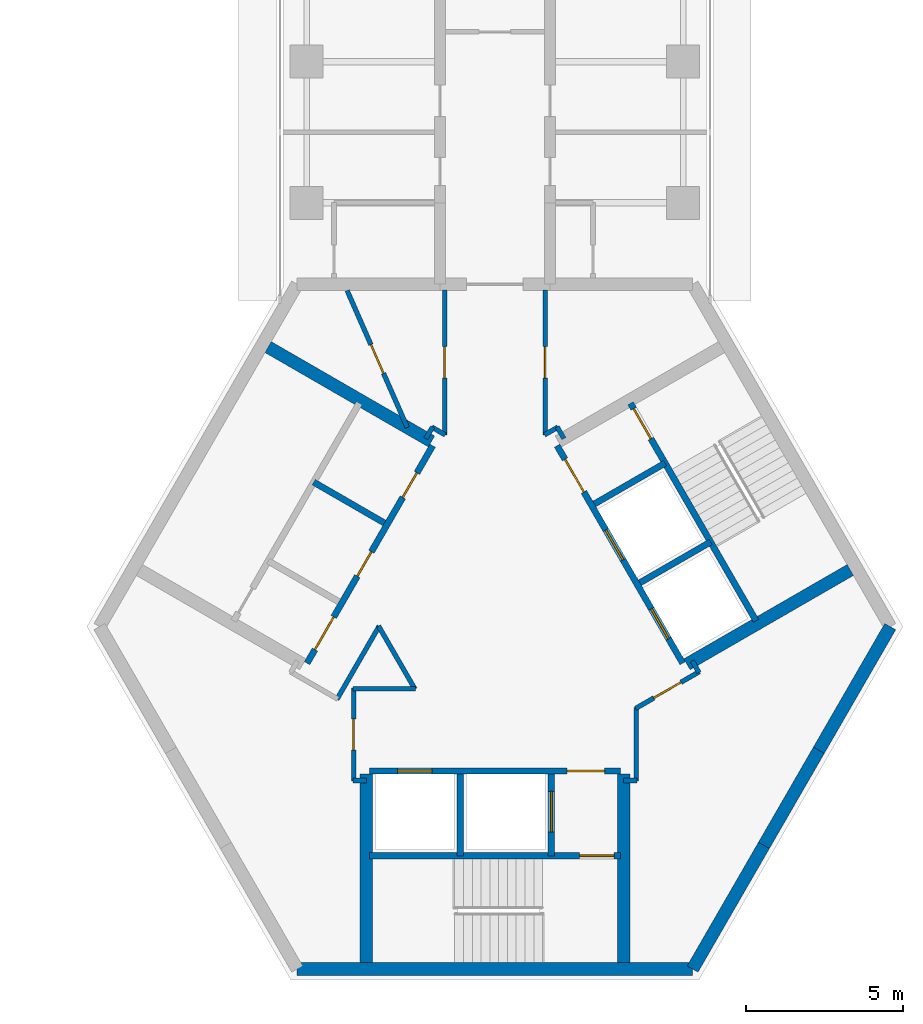
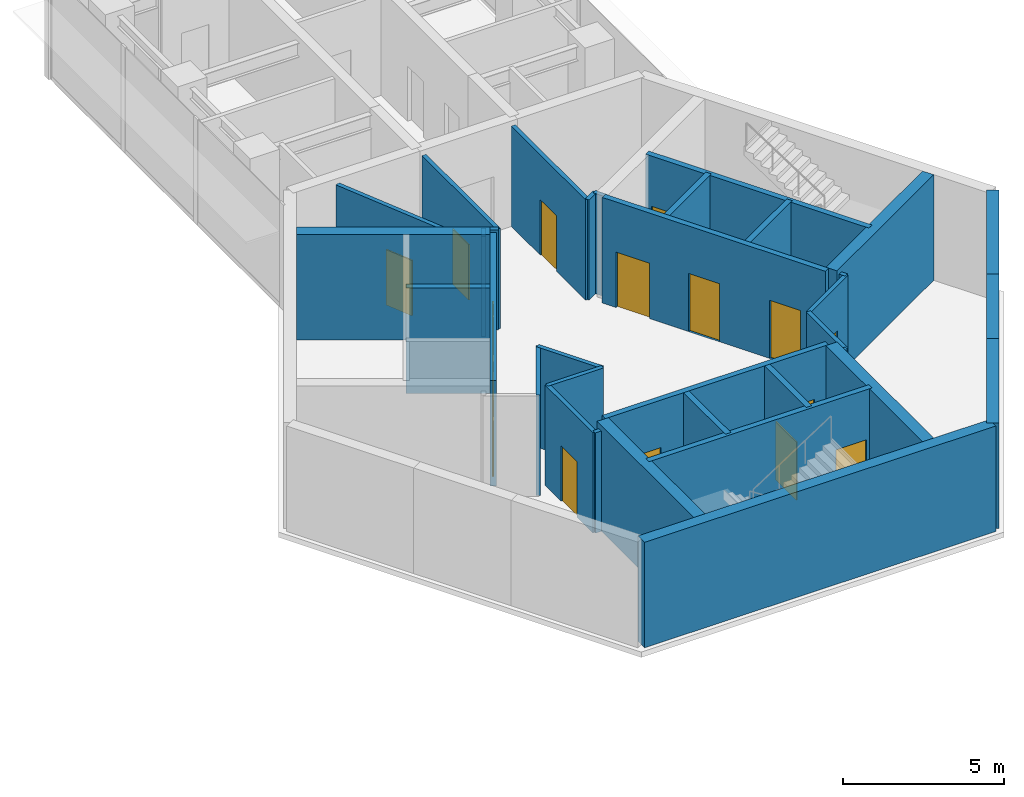
# One storey, part 8 of 11: 34 walls, 16 doors, 16 openings.
"""IFC4 building model written with IfcOpenShell, lengths in metres."""

from ifc_helpers import new_model, si_unit, direction, frame, frame_2d, origin, place, context, subcontext, project, spatial, rectangle, extrude, material, layer, layer_set, type_object, element, fill, save


model = new_model("IFC4")

# Units and contexts
model_context = context("Model", 3, precision=1e-05, world=origin(), true_north=direction((0.0, 1.0)))
body_context = subcontext(model_context, "Body", "Model", "MODEL_VIEW")
ifc_project = project(units=[si_unit("LENGTHUNIT", "METRE"), si_unit("AREAUNIT", "SQUARE_METRE"), si_unit("VOLUMEUNIT", "CUBIC_METRE"), si_unit("PLANEANGLEUNIT", "RADIAN"), si_unit("MASSUNIT", "GRAM", prefix="KILO")], contexts=[model_context])

# Site, building, storey
site_placement = place(None, origin())
site = spatial("IfcSite", under=ifc_project, at=site_placement, CompositionType="ELEMENT")
building_placement = place(site_placement, origin())
building = spatial("IfcBuilding", under=site, at=building_placement, Name="Upepo Twin Towers", CompositionType="ELEMENT")
storey_placement = place(building_placement, frame((0.0, 0.0, 255.5)))
storey = spatial("IfcBuildingStorey", under=building, at=storey_placement, Name="L62", CompositionType="ELEMENT", Elevation=255.5)

# Walls
ifc_material_1 = material(Name="Concrete C60/75", Category="concrete")
ifc_layer_1 = layer(ifc_material_1, 0.39990234375)
ifc_layer_set_1 = layer_set([ifc_layer_1], Name="Concrete C60/75")
wall_type_1 = type_object("IfcWallType", Name="Core wall 400 RC", PredefinedType="SHEAR", material=ifc_layer_set_1)
wall_1_placement = place(storey_placement, frame((52.2021484375, -28.908447265625, 0.0), z_axis=(0.0, 0.0, 1.0), x_axis=(1.0, 0.0, 0.0)))
element("IfcWall", 1, at=wall_1_placement, inside=storey, type_object=wall_type_1, Name="T2 core wall 180", PredefinedType="SHEAR", context=body_context, shape_type="SweptSolid", body=[
    extrude(rectangle(XDim=12.595703125, YDim=0.39990234375, at=frame_2d((6.2978515625, 0.0))), origin(), (0.0, 0.0, 1.0), 4.0),
])
wall_2_placement = place(storey_placement, frame((64.7978515625, -28.908447265625, 0.0), z_axis=(0.0, 0.0, 1.0), x_axis=(0.499984222037, 0.866034513004, 0.0)))
element("IfcWall", 2, at=wall_2_placement, inside=storey, type_object=wall_type_1, Name="T2 core wall 240 R", PredefinedType="SHEAR", context=body_context, shape_type="SweptSolid", body=[
    extrude(rectangle(XDim=4.548095703125, YDim=0.39990234375, at=frame_2d((2.27392578125, 0.0))), origin(), (0.0, 0.0, 1.0), 4.0),
])
wall_3_placement = place(storey_placement, frame((67.07177734375, -24.9697265625, 0.0), z_axis=(0.0, 0.0, 1.0), x_axis=(0.500010275428, 0.866019471182, 0.0)))
element("IfcWall", 3, at=wall_3_placement, inside=storey, type_object=wall_type_1, Name="T2 core wall 240", PredefinedType="SHEAR", context=body_context, shape_type="SweptSolid", body=[
    extrude(rectangle(XDim=3.5, YDim=0.39990234375, at=frame_2d((1.75, 0.0))), origin(), (0.0, 0.0, 1.0), 4.0),
])
wall_4_placement = place(storey_placement, frame((68.82177734375, -21.938720703125, 0.0), z_axis=(0.0, 0.0, 1.0), x_axis=(0.500024481964, 0.866011268655, 0.0)))
element("IfcWall", 4, at=wall_4_placement, inside=storey, type_object=wall_type_1, Name="T2 core wall 240 L", PredefinedType="SHEAR", context=body_context, shape_type="SweptSolid", body=[
    extrude(rectangle(XDim=4.548095703125, YDim=0.39990234375, at=frame_2d((2.27392578125, 0.0))), origin(), (0.0, 0.0, 1.0), 4.0),
])

# Wall, openings, doors
ifc_material_2 = material(Name="Concrete C40/50", Category="concrete")
ifc_layer_2 = layer(ifc_material_2, 0.199951171875)
ifc_layer_set_2 = layer_set([ifc_layer_2], Name="Concrete C40/50")
wall_type_2 = type_object("IfcWallType", Name="Shaft wall 200 RC", PredefinedType="SHEAR", material=ifc_layer_set_2)
wall_5_placement = place(storey_placement, frame((56.516357421875, -12.23583984375, 0.0), z_axis=(0.0, 0.0, 1.0), x_axis=(-0.49999894854, -0.866026010844, 0.0)))
wall_5 = element("IfcWall", 5, at=wall_5_placement, inside=storey, type_object=wall_type_2, Name="T2 core W60 front wall", PredefinedType="SHEAR", context=body_context, shape_type="SweptSolid", body=[
    extrude(rectangle(XDim=8.0, YDim=0.199951171875, at=frame_2d((4.0, 0.0))), origin(), (0.0, 0.0, 1.0), 4.0),
])
opening_1_placement = place(wall_5_placement, frame((6.300048828125, 0.0, 0.0)))
opening_1 = element("IfcOpeningElement", 6, at=opening_1_placement, cuts=wall_5, Name="Opening D4", PredefinedType="OPENING", context=body_context, shape_type="SweptSolid", body=[
    extrude(rectangle(XDim=1.199951171875, YDim=2.10009765625, at=frame_2d((0.60009765625, 1.050048828125))), frame((0.0, 0.10986328125, 0.0), z_axis=(0.0, -1.0, 0.0), x_axis=(1.0, 0.0, 0.0)), (0.0, 0.0, 1.0), 0.219970703125),
])
opening_2_placement = place(wall_5_placement, frame((1.0, 0.0, 0.0)))
opening_2 = element("IfcOpeningElement", 7, at=opening_2_placement, cuts=wall_5, Name="Opening D9", PredefinedType="OPENING", context=body_context, shape_type="SweptSolid", body=[
    extrude(rectangle(XDim=0.89990234375, YDim=2.10009765625, at=frame_2d((0.449951171875, 1.050048828125))), frame((0.0, 0.10986328125, 0.0), z_axis=(0.0, -1.0, 0.0), x_axis=(1.0, 0.0, 0.0)), (0.0, 0.0, 1.0), 0.219970703125),
])
opening_3_placement = place(wall_5_placement, frame((3.89990234375, 0.0, 0.0)))
opening_3 = element("IfcOpeningElement", 8, at=opening_3_placement, cuts=wall_5, Name="Opening D9", PredefinedType="OPENING", context=body_context, shape_type="SweptSolid", body=[
    extrude(rectangle(XDim=0.89990234375, YDim=2.10009765625, at=frame_2d((0.449951171875, 1.050048828125))), frame((0.0, 0.10986328125, 0.0), z_axis=(0.0, -1.0, 0.0), x_axis=(1.0, 0.0, 0.0)), (0.0, 0.0, 1.0), 0.219970703125),
])
ifc_material_3 = material(Name="Timber doorset", Category="wood")
door_type_1 = type_object("IfcDoorType", Name="Lobby door 1200 FD60", OperationType="SINGLE_SWING_LEFT", PredefinedType="DOOR", material=ifc_material_3)
door_1_placement = place(opening_1_placement, origin())
door_1 = element("IfcDoor", 9, at=door_1_placement, inside=storey, type_object=door_type_1, Name="T2 L62 W60 lobby door", OperationType="SINGLE_SWING_RIGHT", OverallHeight=2.10009765625, OverallWidth=1.199951171875, PredefinedType="DOOR", context=body_context, shape_type="SweptSolid", body=[
    extrude(rectangle(XDim=1.199951171875, YDim=2.10009765625, at=frame_2d((0.60009765625, 1.050048828125))), frame((0.0, 0.02490234375, 0.0), z_axis=(0.0, -1.0, 0.0), x_axis=(1.0, 0.0, 0.0)), (0.0, 0.0, 1.0), 0.050048828125),
])
fill(opening_1, door_1)
ifc_material_4 = material(Name="Timber doorset", Category="wood")
door_type_2 = type_object("IfcDoorType", Name="Riser door 900 FD60", OperationType="SINGLE_SWING_LEFT", PredefinedType="DOOR", material=ifc_material_4)
door_2_placement = place(opening_2_placement, origin())
door_2 = element("IfcDoor", 10, at=door_2_placement, inside=storey, type_object=door_type_2, Name="T2 L62 av equipment store door", OperationType="SINGLE_SWING_LEFT", OverallHeight=2.10009765625, OverallWidth=0.89990234375, PredefinedType="DOOR", context=body_context, shape_type="SweptSolid", body=[
    extrude(rectangle(XDim=0.89990234375, YDim=2.10009765625, at=frame_2d((0.449951171875, 1.050048828125))), frame((0.0, 0.02490234375, 0.0), z_axis=(0.0, -1.0, 0.0), x_axis=(1.0, 0.0, 0.0)), (0.0, 0.0, 1.0), 0.050048828125),
])
fill(opening_2, door_2)
door_3_placement = place(opening_3_placement, origin())
door_3 = element("IfcDoor", 11, at=door_3_placement, inside=storey, type_object=door_type_2, Name="T2 L62 pantry store door", OperationType="SINGLE_SWING_RIGHT", OverallHeight=2.10009765625, OverallWidth=0.89990234375, PredefinedType="DOOR", context=body_context, shape_type="SweptSolid", body=[
    extrude(rectangle(XDim=0.89990234375, YDim=2.10009765625, at=frame_2d((0.449951171875, 1.050048828125))), frame((0.0, 0.02490234375, 0.0), z_axis=(0.0, -1.0, 0.0), x_axis=(1.0, 0.0, 0.0)), (0.0, 0.0, 1.0), 0.050048828125),
])
fill(opening_3, door_3)

# Wall
wall_6_placement = place(storey_placement, frame((54.979736328125, -14.697265625, 0.0), z_axis=(0.0, 0.0, 1.0), x_axis=(-0.866062058628, 0.499936506574, 0.0)))
element("IfcWall", 12, at=wall_6_placement, inside=storey, type_object=wall_type_2, Name="T2 core W60 shaft divider", PredefinedType="SHEAR", context=body_context, shape_type="SweptSolid", body=[
    extrude(rectangle(XDim=2.599853515625, YDim=0.199951171875, at=frame_2d((1.2998046875, 0.0))), origin(), (0.0, 0.0, 1.0), 4.0),
])

# Wall, openings, doors
wall_7_placement = place(storey_placement, frame((54.5, -22.60009765625, 0.0), z_axis=(0.0, 0.0, 1.0), x_axis=(1.0, 0.0, 0.0)))
wall_7 = element("IfcWall", 13, at=wall_7_placement, inside=storey, type_object=wall_type_2, Name="T2 core W180 front wall", PredefinedType="SHEAR", context=body_context, shape_type="SweptSolid", body=[
    extrude(rectangle(XDim=8.0, YDim=0.199951171875, at=frame_2d((4.0, 0.0))), origin(), (0.0, 0.0, 1.0), 4.0),
])
opening_4_placement = place(wall_7_placement, frame((6.300048828125, 0.0, 0.0)))
opening_4 = element("IfcOpeningElement", 14, at=opening_4_placement, cuts=wall_7, Name="Opening D4", PredefinedType="OPENING", context=body_context, shape_type="SweptSolid", body=[
    extrude(rectangle(XDim=1.199951171875, YDim=2.10009765625, at=frame_2d((0.60009765625, 1.050048828125))), frame((0.0, 0.10986328125, 0.0), z_axis=(0.0, -1.0, 0.0), x_axis=(1.0, 0.0, 0.0)), (0.0, 0.0, 1.0), 0.219970703125),
])
opening_5_placement = place(wall_7_placement, frame((0.89990234375, 0.0, 0.0)))
opening_5 = element("IfcOpeningElement", 15, at=opening_5_placement, cuts=wall_7, Name="Opening LD1", PredefinedType="OPENING", context=body_context, shape_type="SweptSolid", body=[
    extrude(rectangle(XDim=1.10009765625, YDim=2.199951171875, at=frame_2d((0.550048828125, 1.10009765625))), frame((0.0, 0.10986328125, 0.0), z_axis=(0.0, -1.0, 0.0), x_axis=(1.0, 0.0, 0.0)), (0.0, 0.0, 1.0), 0.219970703125),
])
ifc_material_5 = material(Name="Steel doorset", Category="steel")
door_type_3 = type_object("IfcDoorType", Name="Lift landing door 1100", OperationType="DOUBLE_DOOR_SLIDING", PredefinedType="DOOR", material=ifc_material_5)
door_4_placement = place(opening_5_placement, origin())
door_4 = element("IfcDoor", 16, at=door_4_placement, inside=storey, type_object=door_type_3, Name="T2 L62 lift SV1 landing door", OperationType="DOUBLE_DOOR_SLIDING", OverallHeight=2.199951171875, OverallWidth=1.10009765625, PredefinedType="DOOR", context=body_context, shape_type="SweptSolid", body=[
    extrude(rectangle(XDim=1.10009765625, YDim=2.199951171875, at=frame_2d((0.550048828125, 1.10009765625))), frame((0.0, 0.02490234375, 0.0), z_axis=(0.0, -1.0, 0.0), x_axis=(1.0, 0.0, 0.0)), (0.0, 0.0, 1.0), 0.050048828125),
])
fill(opening_5, door_4)
door_5_placement = place(opening_4_placement, origin())
door_5 = element("IfcDoor", 17, at=door_5_placement, inside=storey, type_object=door_type_1, Name="T2 L62 W180 lobby door", OperationType="SINGLE_SWING_RIGHT", OverallHeight=2.10009765625, OverallWidth=1.199951171875, PredefinedType="DOOR", context=body_context, shape_type="SweptSolid", body=[
    extrude(rectangle(XDim=1.199951171875, YDim=2.10009765625, at=frame_2d((0.60009765625, 1.050048828125))), frame((0.0, 0.02490234375, 0.0), z_axis=(0.0, -1.0, 0.0), x_axis=(1.0, 0.0, 0.0)), (0.0, 0.0, 1.0), 0.050048828125),
])
fill(opening_4, door_5)

# Wall
wall_8_placement = place(storey_placement, frame((57.39990234375, -22.699951171875, 0.0), z_axis=(0.0, 0.0, 1.0), x_axis=(0.0, -1.0, 0.0)))
element("IfcWall", 18, at=wall_8_placement, inside=storey, type_object=wall_type_2, Name="T2 core W180 shaft divider", PredefinedType="SHEAR", context=body_context, shape_type="SweptSolid", body=[
    extrude(rectangle(XDim=2.60009765625, YDim=0.199951171875, at=frame_2d((1.300048828125, 0.0))), origin(), (0.0, 0.0, 1.0), 4.0),
])

# Wall, opening, door
wall_9_placement = place(storey_placement, frame((60.300048828125, -22.699951171875, 0.0), z_axis=(0.0, 0.0, 1.0), x_axis=(0.0, -1.0, 0.0)))
wall_9 = element("IfcWall", 19, at=wall_9_placement, inside=storey, type_object=wall_type_2, Name="T2 core W180 lobby wall", PredefinedType="SHEAR", context=body_context, shape_type="SweptSolid", body=[
    extrude(rectangle(XDim=2.60009765625, YDim=0.199951171875, at=frame_2d((1.300048828125, 0.0))), origin(), (0.0, 0.0, 1.0), 4.0),
])
opening_6_placement = place(wall_9_placement, frame((0.550048828125, 0.0, 0.0)))
opening_6 = element("IfcOpeningElement", 20, at=opening_6_placement, cuts=wall_9, Name="Opening LD2", PredefinedType="OPENING", context=body_context, shape_type="SweptSolid", body=[
    extrude(rectangle(XDim=1.300048828125, YDim=2.199951171875, at=frame_2d((0.64990234375, 1.10009765625))), frame((0.0, 0.10986328125, 0.0), z_axis=(0.0, -1.0, 0.0), x_axis=(1.0, 0.0, 0.0)), (0.0, 0.0, 1.0), 0.219970703125),
])
ifc_material_6 = material(Name="Steel doorset", Category="steel")
door_type_4 = type_object("IfcDoorType", Name="Firefighting lift landing door 1300", OperationType="DOUBLE_DOOR_SLIDING", PredefinedType="DOOR", material=ifc_material_6)
door_6_placement = place(opening_6_placement, origin())
door_6 = element("IfcDoor", 21, at=door_6_placement, inside=storey, type_object=door_type_4, Name="T2 L62 firefighting lift landing door", OperationType="DOUBLE_DOOR_SLIDING", OverallHeight=2.199951171875, OverallWidth=1.300048828125, PredefinedType="DOOR", context=body_context, shape_type="SweptSolid", body=[
    extrude(rectangle(XDim=1.300048828125, YDim=2.199951171875, at=frame_2d((0.64990234375, 1.10009765625))), frame((0.0, 0.02490234375, 0.0), z_axis=(0.0, -1.0, 0.0), x_axis=(1.0, 0.0, 0.0)), (0.0, 0.0, 1.0), 0.050048828125),
])
fill(opening_6, door_6)

wall_10_placement = place(storey_placement, frame((54.5, -25.300048828125, 0.0), z_axis=(0.0, 0.0, 1.0), x_axis=(1.0, 0.0, 0.0)))
wall_10 = element("IfcWall", 22, at=wall_10_placement, inside=storey, type_object=wall_type_2, Name="T2 core W180 stair wall", PredefinedType="SHEAR", context=body_context, shape_type="SweptSolid", body=[
    extrude(rectangle(XDim=8.0, YDim=0.199951171875, at=frame_2d((4.0, 0.0))), origin(), (0.0, 0.0, 1.0), 4.0),
])
opening_7_placement = place(wall_10_placement, frame((6.699951171875, 0.0, 0.0)))
opening_7 = element("IfcOpeningElement", 23, at=opening_7_placement, cuts=wall_10, Name="Opening D3", PredefinedType="OPENING", context=body_context, shape_type="SweptSolid", body=[
    extrude(rectangle(XDim=1.10009765625, YDim=2.10009765625, at=frame_2d((0.550048828125, 1.050048828125))), frame((0.0, 0.10986328125, 0.0), z_axis=(0.0, -1.0, 0.0), x_axis=(1.0, 0.0, 0.0)), (0.0, 0.0, 1.0), 0.219970703125),
])
ifc_material_7 = material(Name="Timber doorset", Category="wood")
door_type_5 = type_object("IfcDoorType", Name="Stair door 1100 FD60", OperationType="SINGLE_SWING_LEFT", PredefinedType="DOOR", material=ifc_material_7)
door_7_placement = place(opening_7_placement, origin())
door_7 = element("IfcDoor", 24, at=door_7_placement, inside=storey, type_object=door_type_5, Name="T2 L62 stair door", OperationType="SINGLE_SWING_RIGHT", OverallHeight=2.10009765625, OverallWidth=1.10009765625, PredefinedType="DOOR", context=body_context, shape_type="SweptSolid", body=[
    extrude(rectangle(XDim=1.10009765625, YDim=2.10009765625, at=frame_2d((0.550048828125, 1.050048828125))), frame((0.0, 0.02490234375, 0.0), z_axis=(0.0, -1.0, 0.0), x_axis=(1.0, 0.0, 0.0)), (0.0, 0.0, 1.0), 0.050048828125),
])
fill(opening_7, door_7)

# Wall, openings, doors
wall_11_placement = place(storey_placement, frame((64.483642578125, -19.1640625, 0.0), z_axis=(0.0, 0.0, 1.0), x_axis=(-0.49999894854, 0.866026010844, 0.0)))
wall_11 = element("IfcWall", 25, at=wall_11_placement, inside=storey, type_object=wall_type_2, Name="T2 core W300 front wall", PredefinedType="SHEAR", context=body_context, shape_type="SweptSolid", body=[
    extrude(rectangle(XDim=8.0, YDim=0.199951171875, at=frame_2d((4.0, 0.0))), origin(), (0.0, 0.0, 1.0), 4.0),
])
opening_8_placement = place(wall_11_placement, frame((6.300048828125, 0.0, 0.0)))
opening_8 = element("IfcOpeningElement", 26, at=opening_8_placement, cuts=wall_11, Name="Opening D4", PredefinedType="OPENING", context=body_context, shape_type="SweptSolid", body=[
    extrude(rectangle(XDim=1.199951171875, YDim=2.10009765625, at=frame_2d((0.60009765625, 1.050048828125))), frame((0.0, 0.10986328125, 0.0), z_axis=(0.0, -1.0, 0.0), x_axis=(1.0, 0.0, 0.0)), (0.0, 0.0, 1.0), 0.219970703125),
])
opening_9_placement = place(wall_11_placement, frame((0.89990234375, 0.0, 0.0)))
opening_9 = element("IfcOpeningElement", 27, at=opening_9_placement, cuts=wall_11, Name="Opening LD1", PredefinedType="OPENING", context=body_context, shape_type="SweptSolid", body=[
    extrude(rectangle(XDim=1.10009765625, YDim=2.199951171875, at=frame_2d((0.550048828125, 1.10009765625))), frame((0.0, 0.10986328125, 0.0), z_axis=(0.0, -1.0, 0.0), x_axis=(1.0, 0.0, 0.0)), (0.0, 0.0, 1.0), 0.219970703125),
])
opening_10_placement = place(wall_11_placement, frame((3.800048828125, 0.0, 0.0)))
opening_10 = element("IfcOpeningElement", 28, at=opening_10_placement, cuts=wall_11, Name="Opening LD1", PredefinedType="OPENING", context=body_context, shape_type="SweptSolid", body=[
    extrude(rectangle(XDim=1.10009765625, YDim=2.199951171875, at=frame_2d((0.550048828125, 1.10009765625))), frame((0.0, 0.10986328125, 0.0), z_axis=(0.0, -1.0, 0.0), x_axis=(1.0, 0.0, 0.0)), (0.0, 0.0, 1.0), 0.219970703125),
])
door_8_placement = place(opening_9_placement, origin())
door_8 = element("IfcDoor", 29, at=door_8_placement, inside=storey, type_object=door_type_3, Name="T2 L62 lift TL1 landing door", OperationType="DOUBLE_DOOR_SLIDING", OverallHeight=2.199951171875, OverallWidth=1.10009765625, PredefinedType="DOOR", context=body_context, shape_type="SweptSolid", body=[
    extrude(rectangle(XDim=1.10009765625, YDim=2.199951171875, at=frame_2d((0.550048828125, 1.10009765625))), frame((0.0, 0.02490234375, 0.0), z_axis=(0.0, -1.0, 0.0), x_axis=(1.0, 0.0, 0.0)), (0.0, 0.0, 1.0), 0.050048828125),
])
fill(opening_9, door_8)
door_9_placement = place(opening_10_placement, origin())
door_9 = element("IfcDoor", 30, at=door_9_placement, inside=storey, type_object=door_type_3, Name="T2 L62 lift TL2 landing door", OperationType="DOUBLE_DOOR_SLIDING", OverallHeight=2.199951171875, OverallWidth=1.10009765625, PredefinedType="DOOR", context=body_context, shape_type="SweptSolid", body=[
    extrude(rectangle(XDim=1.10009765625, YDim=2.199951171875, at=frame_2d((0.550048828125, 1.10009765625))), frame((0.0, 0.02490234375, 0.0), z_axis=(0.0, -1.0, 0.0), x_axis=(1.0, 0.0, 0.0)), (0.0, 0.0, 1.0), 0.050048828125),
])
fill(opening_10, door_9)
door_10_placement = place(opening_8_placement, origin())
door_10 = element("IfcDoor", 31, at=door_10_placement, inside=storey, type_object=door_type_1, Name="T2 L62 W300 lobby door", OperationType="SINGLE_SWING_RIGHT", OverallHeight=2.10009765625, OverallWidth=1.199951171875, PredefinedType="DOOR", context=body_context, shape_type="SweptSolid", body=[
    extrude(rectangle(XDim=1.199951171875, YDim=2.10009765625, at=frame_2d((0.60009765625, 1.050048828125))), frame((0.0, 0.02490234375, 0.0), z_axis=(0.0, -1.0, 0.0), x_axis=(1.0, 0.0, 0.0)), (0.0, 0.0, 1.0), 0.050048828125),
])
fill(opening_8, door_10)

# Walls
wall_12_placement = place(storey_placement, frame((63.120361328125, -16.6025390625, 0.0), z_axis=(0.0, 0.0, 1.0), x_axis=(0.866062058628, 0.499936506574, 0.0)))
element("IfcWall", 32, at=wall_12_placement, inside=storey, type_object=wall_type_2, Name="T2 core W300 shaft divider", PredefinedType="SHEAR", context=body_context, shape_type="SweptSolid", body=[
    extrude(rectangle(XDim=2.599853515625, YDim=0.199951171875, at=frame_2d((1.2998046875, 0.0))), origin(), (0.0, 0.0, 1.0), 4.0),
])
wall_13_placement = place(storey_placement, frame((61.67041015625, -14.091064453125, 0.0), z_axis=(0.0, 0.0, 1.0), x_axis=(0.86603858612, 0.49997716683, 0.0)))
element("IfcWall", 33, at=wall_13_placement, inside=storey, type_object=wall_type_2, Name="T2 core W300 lobby wall", PredefinedType="SHEAR", context=body_context, shape_type="SweptSolid", body=[
    extrude(rectangle(XDim=2.599609375, YDim=0.199951171875, at=frame_2d((1.2998046875, 0.0))), origin(), (0.0, 0.0, 1.0), 4.0),
])

# Wall, opening, door
wall_14_placement = place(storey_placement, frame((66.822021484375, -17.814208984375, 0.0), z_axis=(0.0, 0.0, 1.0), x_axis=(-0.49999894854, 0.866026010844, 0.0)))
wall_14 = element("IfcWall", 34, at=wall_14_placement, inside=storey, type_object=wall_type_2, Name="T2 core W300 stair wall", PredefinedType="SHEAR", context=body_context, shape_type="SweptSolid", body=[
    extrude(rectangle(XDim=8.0, YDim=0.199951171875, at=frame_2d((4.0, 0.0))), origin(), (0.0, 0.0, 1.0), 4.0),
])
opening_11_placement = place(wall_14_placement, frame((6.699951171875, 0.0, 0.0)))
opening_11 = element("IfcOpeningElement", 35, at=opening_11_placement, cuts=wall_14, Name="Opening D3", PredefinedType="OPENING", context=body_context, shape_type="SweptSolid", body=[
    extrude(rectangle(XDim=1.10009765625, YDim=2.10009765625, at=frame_2d((0.550048828125, 1.050048828125))), frame((0.0, 0.10986328125, 0.0), z_axis=(0.0, -1.0, 0.0), x_axis=(1.0, 0.0, 0.0)), (0.0, 0.0, 1.0), 0.219970703125),
])
door_11_placement = place(opening_11_placement, origin())
door_11 = element("IfcDoor", 36, at=door_11_placement, inside=storey, type_object=door_type_5, Name="T2 L62 stair door", OperationType="SINGLE_SWING_RIGHT", OverallHeight=2.10009765625, OverallWidth=1.10009765625, PredefinedType="DOOR", context=body_context, shape_type="SweptSolid", body=[
    extrude(rectangle(XDim=1.10009765625, YDim=2.10009765625, at=frame_2d((0.550048828125, 1.050048828125))), frame((0.0, 0.02490234375, 0.0), z_axis=(0.0, -1.0, 0.0), x_axis=(1.0, 0.0, 0.0)), (0.0, 0.0, 1.0), 0.050048828125),
])
fill(opening_11, door_11)

# Walls
ifc_material_8 = material(Name="Concrete C40/50", Category="concrete")
ifc_layer_3 = layer(ifc_material_8, 0.39990234375)
ifc_layer_set_3 = layer_set([ifc_layer_3], Name="Concrete C40/50")
wall_type_3 = type_object("IfcWallType", Name="Shaft wall 400 RC", PredefinedType="SHEAR", material=ifc_layer_set_3)
for number, where, z_axis, x_axis, name in (
    (37, (56.479736328125, -12.099365234375, 0.0), (0.0, 0.0, 1.0), (-0.866026570101, 0.499997979876, 0.0), "T2 core W60 side wall S"),
    (38, (62.60009765625, -22.699951171875, 0.0), (0.0, 0.0, 1.0), (0.0, -1.0, 0.0), "T2 core W180 side wall N"),
    (39, (54.39990234375, -22.699951171875, 0.0), (0.0, 0.0, 1.0), (0.0, -1.0, 0.0), "T2 core W180 side wall S"),
    (40, (64.620361328125, -19.20068359375, 0.0), (0.0, 0.0, 1.0), (0.866026570101, 0.499997979876, 0.0), "T2 core W300 side wall S"),
):
    element("IfcWall", number, at=place(storey_placement, frame(where, z_axis=z_axis, x_axis=x_axis)), inside=storey, type_object=wall_type_3, Name=name, PredefinedType="SHEAR", context=body_context, shape_type="SweptSolid", body=[
        extrude(rectangle(XDim=6.00830078125, YDim=0.39990234375, at=frame_2d((3.004150390625, 0.0))), origin(), (0.0, 0.0, 1.0), 4.0),
    ])
ifc_material_9 = material(Name="Gypsum board on steel studs", Category="steel")
ifc_layer_4 = layer(ifc_material_9, 0.14990234375)
ifc_layer_set_4 = layer_set([ifc_layer_4], Name="Teaching partition 150 acoustic")
wall_type_4 = type_object("IfcWallType", Name="Teaching partition 150 acoustic", PredefinedType="PARTITIONING", material=ifc_layer_set_4)
for number, where, z_axis, x_axis, name in (
    (41, (63.02001953125, -22.89990234375, 0.0), (0.0, 0.0, 1.0), (-1.0, 0.0, 0.0), "T2 core room partition 1"),
    (42, (54.409912109375, -22.89990234375, 0.0), (0.0, 0.0, 1.0), (-1.0, 0.0, 0.0), "T2 core room partition 2"),
):
    element("IfcWall", number, at=place(storey_placement, frame(where, z_axis=z_axis, x_axis=x_axis)), inside=storey, type_object=wall_type_4, Name=name, PredefinedType="PARTITIONING", context=body_context, shape_type="SweptSolid", body=[
        extrude(rectangle(XDim=0.429931640625, YDim=0.14990234375, at=frame_2d((0.21484375, 0.0))), origin(), (0.0, 0.0, 1.0), 3.800048828125),
    ])

# Wall, opening, door
wall_15_placement = place(storey_placement, frame((54.0, -22.919921875, 0.0), z_axis=(0.0, 0.0, 1.0), x_axis=(0.0, 1.0, 0.0)))
wall_15 = element("IfcWall", 43, at=wall_15_placement, inside=storey, type_object=wall_type_4, Name="T2 core room partition 3", PredefinedType="PARTITIONING", context=body_context, shape_type="SweptSolid", body=[
    extrude(rectangle(XDim=2.96484375, YDim=0.14990234375, at=frame_2d((1.482421875, 0.0))), origin(), (0.0, 0.0, 1.0), 3.800048828125),
])
opening_12_placement = place(wall_15_placement, frame((0.982421875, 0.0, 0.0)))
opening_12 = element("IfcOpeningElement", 44, at=opening_12_placement, cuts=wall_15, Name="Opening D1", PredefinedType="OPENING", context=body_context, shape_type="SweptSolid", body=[
    extrude(rectangle(XDim=1.0, YDim=2.10009765625, at=frame_2d((0.5, 1.050048828125))), frame((0.0, 0.0849609375, 0.0), z_axis=(0.0, -1.0, 0.0), x_axis=(1.0, 0.0, 0.0)), (0.0, 0.0, 1.0), 0.169921875),
])
ifc_material_10 = material(Name="Timber doorset", Category="wood")
door_type_6 = type_object("IfcDoorType", Name="Room door 1000 FD30", OperationType="SINGLE_SWING_LEFT", PredefinedType="DOOR", material=ifc_material_10)
door_12_placement = place(opening_12_placement, origin())
door_12 = element("IfcDoor", 45, at=door_12_placement, inside=storey, type_object=door_type_6, Name="T2 L62 core room door K1", OperationType="SINGLE_SWING_RIGHT", OverallHeight=2.10009765625, OverallWidth=1.0, PredefinedType="DOOR", context=body_context, shape_type="SweptSolid", body=[
    extrude(rectangle(XDim=1.0, YDim=2.10009765625, at=frame_2d((0.5, 1.050048828125))), frame((0.0, 0.02490234375, 0.0), z_axis=(0.0, -1.0, 0.0), x_axis=(1.0, 0.0, 0.0)), (0.0, 0.0, 1.0), 0.050048828125),
])
fill(opening_12, door_12)

# Walls
wall_16_placement = place(storey_placement, frame((53.97998046875, -19.97509765625, 0.0), z_axis=(0.0, 0.0, 1.0), x_axis=(1.0, 0.0, 0.0)))
element("IfcWall", 46, at=wall_16_placement, inside=storey, type_object=wall_type_4, Name="T2 core room partition 4", PredefinedType="PARTITIONING", context=body_context, shape_type="SweptSolid", body=[
    extrude(rectangle(XDim=1.985107421875, YDim=0.14990234375, at=frame_2d((0.99267578125, 0.0))), origin(), (0.0, 0.0, 1.0), 3.800048828125),
])
wall_17_placement = place(storey_placement, frame((55.955078125, -19.992431640625, 0.0), z_axis=(0.0, 0.0, 1.0), x_axis=(-0.499941024108, 0.866059450854, 0.0)))
element("IfcWall", 47, at=wall_17_placement, inside=storey, type_object=wall_type_4, Name="T2 core room partition 5", PredefinedType="PARTITIONING", context=body_context, shape_type="SweptSolid", body=[
    extrude(rectangle(XDim=2.320556640625, YDim=0.14990234375, at=frame_2d((1.16015625, 0.0))), origin(), (0.0, 0.0, 1.0), 3.800048828125),
])
wall_18_placement = place(storey_placement, frame((54.81494140625, -17.982666015625, 0.0), z_axis=(0.0, 0.0, 1.0), x_axis=(-0.499981473571, -0.866036099759, 0.0)))
element("IfcWall", 48, at=wall_18_placement, inside=storey, type_object=wall_type_4, Name="T2 core room partition 6", PredefinedType="PARTITIONING", context=body_context, shape_type="SweptSolid", body=[
    extrude(rectangle(XDim=2.6923828125, YDim=0.14990234375, at=frame_2d((1.34619140625, 0.0))), origin(), (0.0, 0.0, 1.0), 3.800048828125),
])
wall_19_placement = place(storey_placement, frame((56.301513671875, -12.0078125, 0.0), z_axis=(0.0, 0.0, 1.0), x_axis=(0.500230298122, 0.865892400268, 0.0)))
element("IfcWall", 49, at=wall_19_placement, inside=storey, type_object=wall_type_4, Name="T2 core room partition 9", PredefinedType="PARTITIONING", context=body_context, shape_type="SweptSolid", body=[
    extrude(rectangle(XDim=0.429931640625, YDim=0.14990234375, at=frame_2d((0.21484375, 0.0))), origin(), (0.0, 0.0, 1.0), 3.800048828125),
])
wall_20_placement = place(storey_placement, frame((56.4892578125, -11.642822265625, 0.0), z_axis=(0.0, 0.0, 1.0), x_axis=(0.865831790172, -0.50033519877, 0.0)))
element("IfcWall", 50, at=wall_20_placement, inside=storey, type_object=wall_type_4, Name="T2 core room partition 10", PredefinedType="PARTITIONING", context=body_context, shape_type="SweptSolid", body=[
    extrude(rectangle(XDim=0.494384765625, YDim=0.14990234375, at=frame_2d((0.2470703125, 0.0))), origin(), (0.0, 0.0, 1.0), 3.800048828125),
])

# Wall, opening, door
wall_21_placement = place(storey_placement, frame((56.89990234375, -11.900146484375, 0.0), z_axis=(0.0, 0.0, 1.0), x_axis=(0.0, 1.0, 0.0)))
wall_21 = element("IfcWall", 51, at=wall_21_placement, inside=storey, type_object=wall_type_4, Name="T2 core room partition 11", PredefinedType="PARTITIONING", context=body_context, shape_type="SweptSolid", body=[
    extrude(rectangle(XDim=4.618408203125, YDim=0.14990234375, at=frame_2d((2.30908203125, 0.0))), origin(), (0.0, 0.0, 1.0), 3.800048828125),
])
opening_13_placement = place(wall_21_placement, frame((1.8193359375, 0.0, 0.0)))
opening_13 = element("IfcOpeningElement", 52, at=opening_13_placement, cuts=wall_21, Name="Opening D1", PredefinedType="OPENING", context=body_context, shape_type="SweptSolid", body=[
    extrude(rectangle(XDim=1.0, YDim=2.10009765625, at=frame_2d((0.5, 1.050048828125))), frame((0.0, 0.0849609375, 0.0), z_axis=(0.0, -1.0, 0.0), x_axis=(1.0, 0.0, 0.0)), (0.0, 0.0, 1.0), 0.169921875),
])
door_13_placement = place(opening_13_placement, origin())
door_13 = element("IfcDoor", 53, at=door_13_placement, inside=storey, type_object=door_type_6, Name="T2 L62 core room door K5", OperationType="SINGLE_SWING_RIGHT", OverallHeight=2.10009765625, OverallWidth=1.0, PredefinedType="DOOR", context=body_context, shape_type="SweptSolid", body=[
    extrude(rectangle(XDim=1.0, YDim=2.10009765625, at=frame_2d((0.5, 1.050048828125))), frame((0.0, 0.02490234375, 0.0), z_axis=(0.0, -1.0, 0.0), x_axis=(1.0, 0.0, 0.0)), (0.0, 0.0, 1.0), 0.050048828125),
])
fill(opening_13, door_13)

wall_22_placement = place(storey_placement, frame((60.10009765625, -7.28173828125, 0.0), z_axis=(0.0, 0.0, 1.0), x_axis=(0.0, -1.0, 0.0)))
wall_22 = element("IfcWall", 54, at=wall_22_placement, inside=storey, type_object=wall_type_4, Name="T2 core room partition 12", PredefinedType="PARTITIONING", context=body_context, shape_type="SweptSolid", body=[
    extrude(rectangle(XDim=4.618408203125, YDim=0.14990234375, at=frame_2d((2.30908203125, 0.0))), origin(), (0.0, 0.0, 1.0), 3.800048828125),
])
opening_14_placement = place(wall_22_placement, frame((1.799072265625, 0.0, 0.0)))
opening_14 = element("IfcOpeningElement", 55, at=opening_14_placement, cuts=wall_22, Name="Opening D1", PredefinedType="OPENING", context=body_context, shape_type="SweptSolid", body=[
    extrude(rectangle(XDim=1.0, YDim=2.10009765625, at=frame_2d((0.5, 1.050048828125))), frame((0.0, 0.0849609375, 0.0), z_axis=(0.0, -1.0, 0.0), x_axis=(1.0, 0.0, 0.0)), (0.0, 0.0, 1.0), 0.169921875),
])
door_14_placement = place(opening_14_placement, origin())
door_14 = element("IfcDoor", 56, at=door_14_placement, inside=storey, type_object=door_type_6, Name="T2 L62 core room door K3", OperationType="SINGLE_SWING_LEFT", OverallHeight=2.10009765625, OverallWidth=1.0, PredefinedType="DOOR", context=body_context, shape_type="SweptSolid", body=[
    extrude(rectangle(XDim=1.0, YDim=2.10009765625, at=frame_2d((0.5, 1.050048828125))), frame((0.0, 0.02490234375, 0.0), z_axis=(0.0, -1.0, 0.0), x_axis=(1.0, 0.0, 0.0)), (0.0, 0.0, 1.0), 0.050048828125),
])
fill(opening_14, door_14)

# Walls
wall_23_placement = place(storey_placement, frame((60.082763671875, -11.89013671875, 0.0), z_axis=(0.0, 0.0, 1.0), x_axis=(0.865831790172, 0.50033519877, 0.0)))
element("IfcWall", 57, at=wall_23_placement, inside=storey, type_object=wall_type_4, Name="T2 core room partition 13", PredefinedType="PARTITIONING", context=body_context, shape_type="SweptSolid", body=[
    extrude(rectangle(XDim=0.494384765625, YDim=0.14990234375, at=frame_2d((0.2470703125, 0.0))), origin(), (0.0, 0.0, 1.0), 3.800048828125),
])
for number, where, z_axis, x_axis, name in (
    (58, (60.4833984375, -11.635498046875, 0.0), (0.0, 0.0, 1.0), (0.500230298122, -0.865892400268, 0.0), "T2 core room partition 14"),
    (59, (64.78857421875, -19.092041015625, 0.0), (0.0, 0.0, 1.0), (0.499804398801, -0.866138304741, 0.0), "T2 core room partition 15"),
):
    element("IfcWall", number, at=place(storey_placement, frame(where, z_axis=z_axis, x_axis=x_axis)), inside=storey, type_object=wall_type_4, Name=name, PredefinedType="PARTITIONING", context=body_context, shape_type="SweptSolid", body=[
        extrude(rectangle(XDim=0.429931640625, YDim=0.14990234375, at=frame_2d((0.21484375, 0.0))), origin(), (0.0, 0.0, 1.0), 3.800048828125),
    ])

# Wall, opening, door
wall_24_placement = place(storey_placement, frame((65.0107421875, -19.43701171875, 0.0), z_axis=(0.0, 0.0, 1.0), x_axis=(-0.865982457891, -0.500074377092, 0.0)))
wall_24 = element("IfcWall", 60, at=wall_24_placement, inside=storey, type_object=wall_type_4, Name="T2 core room partition 16", PredefinedType="PARTITIONING", context=body_context, shape_type="SweptSolid", body=[
    extrude(rectangle(XDim=2.342041015625, YDim=0.14990234375, at=frame_2d((1.1708984375, 0.0))), origin(), (0.0, 0.0, 1.0), 3.800048828125),
])
opening_15_placement = place(wall_24_placement, frame((0.6708984375, 0.0, 0.0)))
opening_15 = element("IfcOpeningElement", 61, at=opening_15_placement, cuts=wall_24, Name="Opening D1", PredefinedType="OPENING", context=body_context, shape_type="SweptSolid", body=[
    extrude(rectangle(XDim=1.0, YDim=2.10009765625, at=frame_2d((0.5, 1.050048828125))), frame((0.0, 0.0849609375, 0.0), z_axis=(0.0, -1.0, 0.0), x_axis=(1.0, 0.0, 0.0)), (0.0, 0.0, 1.0), 0.169921875),
])
door_15_placement = place(opening_15_placement, origin())
door_15 = element("IfcDoor", 62, at=door_15_placement, inside=storey, type_object=door_type_6, Name="T2 L62 core room door K2", OperationType="SINGLE_SWING_RIGHT", OverallHeight=2.10009765625, OverallWidth=1.0, PredefinedType="DOOR", context=body_context, shape_type="SweptSolid", body=[
    extrude(rectangle(XDim=1.0, YDim=2.10009765625, at=frame_2d((0.5, 1.050048828125))), frame((0.0, 0.02490234375, 0.0), z_axis=(0.0, -1.0, 0.0), x_axis=(1.0, 0.0, 0.0)), (0.0, 0.0, 1.0), 0.050048828125),
])
fill(opening_15, door_15)

# Wall
wall_25_placement = place(storey_placement, frame((63.0, -20.578125, 0.0), z_axis=(0.0, 0.0, 1.0), x_axis=(0.0, -1.0, 0.0)))
element("IfcWall", 63, at=wall_25_placement, inside=storey, type_object=wall_type_4, Name="T2 core room partition 17", PredefinedType="PARTITIONING", context=body_context, shape_type="SweptSolid", body=[
    extrude(rectangle(XDim=2.341796875, YDim=0.14990234375, at=frame_2d((1.1708984375, 0.0))), origin(), (0.0, 0.0, 1.0), 3.800048828125),
])

# Wall, opening, door
wall_26_placement = place(storey_placement, frame((55.7109375, -11.655517578125, 0.0), z_axis=(0.0, 0.0, 1.0), x_axis=(-0.402457111937, 0.915438841787, 0.0)))
wall_26 = element("IfcWall", 64, at=wall_26_placement, inside=storey, type_object=wall_type_4, Name="T2 core room partition 18", PredefinedType="PARTITIONING", context=body_context, shape_type="SweptSolid", body=[
    extrude(rectangle(XDim=4.766845703125, YDim=0.14990234375, at=frame_2d((2.38330078125, 0.0))), origin(), (0.0, 0.0, 1.0), 3.800048828125),
])
opening_16_placement = place(wall_26_placement, frame((1.88330078125, 0.0, 0.0)))
opening_16 = element("IfcOpeningElement", 65, at=opening_16_placement, cuts=wall_26, Name="Opening D1", PredefinedType="OPENING", context=body_context, shape_type="SweptSolid", body=[
    extrude(rectangle(XDim=1.0, YDim=2.10009765625, at=frame_2d((0.5, 1.050048828125))), frame((0.0, 0.0849609375, 0.0), z_axis=(0.0, -1.0, 0.0), x_axis=(1.0, 0.0, 0.0)), (0.0, 0.0, 1.0), 0.169921875),
])
door_16_placement = place(opening_16_placement, origin())
door_16 = element("IfcDoor", 66, at=door_16_placement, inside=storey, type_object=door_type_6, Name="T2 L62 core room door K4", OperationType="SINGLE_SWING_LEFT", OverallHeight=2.10009765625, OverallWidth=1.0, PredefinedType="DOOR", context=body_context, shape_type="SweptSolid", body=[
    extrude(rectangle(XDim=1.0, YDim=2.10009765625, at=frame_2d((0.5, 1.050048828125))), frame((0.0, 0.02490234375, 0.0), z_axis=(0.0, -1.0, 0.0), x_axis=(1.0, 0.0, 0.0)), (0.0, 0.0, 1.0), 0.050048828125),
])
fill(opening_16, door_16)

save(model, "model.ifc")
